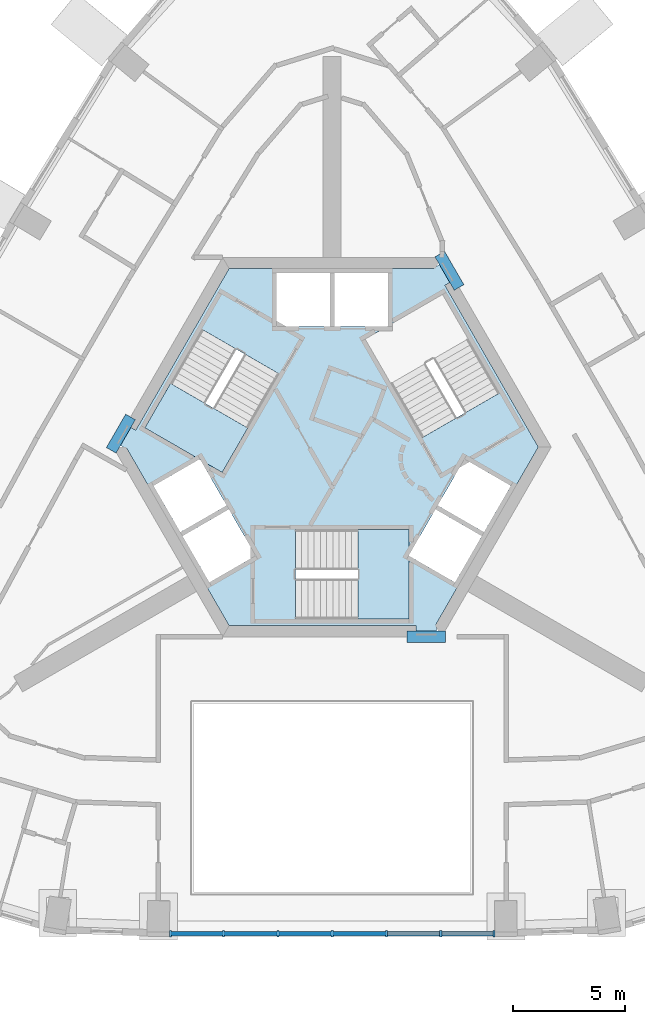
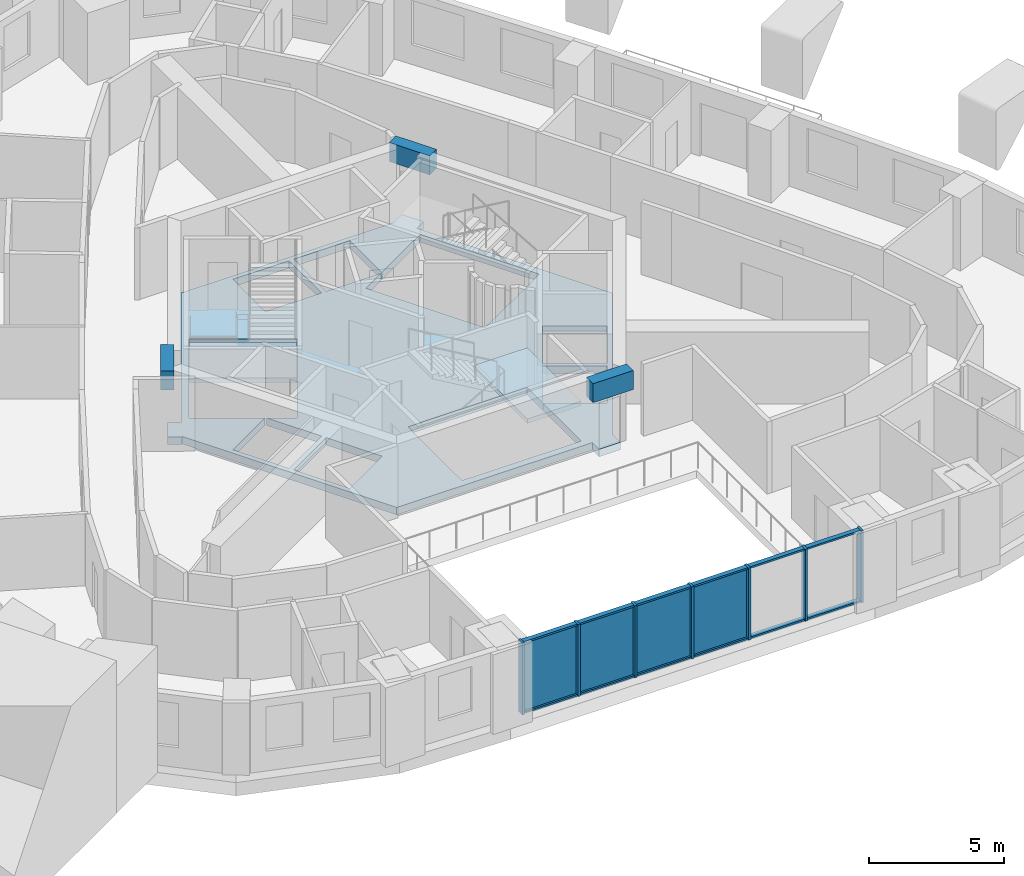
# One storey, part 2 of 11: 19 members, 4 plates, 3 beams, 3 slabs, 3 elements without a shape of their own.
"""IFC4 building model written with IfcOpenShell, lengths in metres."""

import ifcopenshell
import ifcopenshell.guid

model = None  # the IFC model being written
_history = None  # IfcOwnerHistory: only IFC2X3 demands one
_inside = {}  # id of a spatial element -> (the spatial element, [elements in it])
_under = {}  # id of a project, library or spatial element -> (it, [spatial elements below it])
_declared = {}  # id of a project -> (the project, [libraries it declares])
_typed = {}  # id of a type object -> (the type object, [elements of that type])
_made_of = {}  # id of a material, layer set ... -> (it, [elements and type objects made of it])


def new_model(schema):
    """Start an empty IFC model of exactly this schema.

    Asked for "IFC4X3", IfcOpenShell would pick the latest addendum, in which some entities
    have other attributes; the version numbers below select the first issue.
    IFC2X3 requires an IfcOwnerHistory on every rooted entity: one is made here for all.
    """
    global model, _history
    if schema == "IFC4X3":
        model = ifcopenshell.file(schema_version=(4, 3, 0, 0))
    else:
        model = ifcopenshell.file(schema=schema)
    _inside.clear()
    _under.clear()
    _declared.clear()
    _typed.clear()
    _made_of.clear()
    _history = None
    if model.schema == "IFC2X3":
        org = make("IfcOrganization", Name="unknown")
        user = make(
            "IfcPersonAndOrganization",
            ThePerson=make("IfcPerson", FamilyName="unknown"),
            TheOrganization=org,
        )
        app = make(
            "IfcApplication",
            ApplicationDeveloper=org,
            Version="unknown",
            ApplicationFullName="unknown",
            ApplicationIdentifier="unknown",
        )
        _history = make(
            "IfcOwnerHistory",
            OwningUser=user,
            OwningApplication=app,
            ChangeAction="ADDED",
            CreationDate=0,
        )
    return model


def make(cls, **values):
    """One entity of the class cls with the attributes given. An attribute that is None is left unset."""
    return model.create_entity(
        cls, **{name: value for name, value in values.items() if value is not None}
    )


def rooted(cls, **values):
    """An entity with a GlobalId (a new one), such as an element, a storey or a relation."""
    return make(cls, GlobalId=ifcopenshell.guid.new(), OwnerHistory=_history, **values)


def si_unit(unit_type, name, prefix=None):
    """IfcSIUnit, for example si_unit("LENGTHUNIT", "METRE", prefix="MILLI")."""
    return make("IfcSIUnit", UnitType=unit_type, Prefix=prefix, Name=name)


def assignment(units):
    """IfcUnitAssignment: the units of a project."""
    return None if units is None else make("IfcUnitAssignment", Units=units)


def point(xyz):
    """IfcCartesianPoint."""
    return None if xyz is None else make("IfcCartesianPoint", Coordinates=xyz)


def direction(xyz):
    """IfcDirection."""
    return None if xyz is None else make("IfcDirection", DirectionRatios=xyz)


def frame(location, z_axis=None, x_axis=None):
    """IfcAxis2Placement3D, a coordinate frame: its origin and axes. An axis left out is left unset."""
    return make(
        "IfcAxis2Placement3D",
        Location=point(location),
        Axis=direction(z_axis),
        RefDirection=direction(x_axis),
    )


def frame_2d(location, x_axis=None):
    """IfcAxis2Placement2D, a coordinate frame in the plane: its origin and x axis."""
    return make(
        "IfcAxis2Placement2D", Location=point(location), RefDirection=direction(x_axis)
    )


def origin():
    """The frame at (0, 0, 0) with its axes left unset."""
    return frame((0.0, 0.0, 0.0))


def origin_2d():
    """The frame at (0, 0) in the plane with its x axis left unset."""
    return frame_2d((0.0, 0.0))


def place(relative_to, where):
    """IfcLocalPlacement: puts the frame where relative to a parent placement (None: the world)."""
    return make(
        "IfcLocalPlacement", PlacementRelTo=relative_to, RelativePlacement=where
    )


def context(
    kind, dimensions, precision=None, world=None, true_north=None, identifier=None
):
    """IfcGeometricRepresentationContext, for example the 3D "Model" context."""
    return make(
        "IfcGeometricRepresentationContext",
        ContextIdentifier=identifier,
        ContextType=kind,
        CoordinateSpaceDimension=dimensions,
        Precision=precision,
        WorldCoordinateSystem=world,
        TrueNorth=true_north,
    )


def subcontext(parent, identifier, kind, view, scale=None):
    """IfcGeometricRepresentationSubContext, for example "Body" below "Model"."""
    return make(
        "IfcGeometricRepresentationSubContext",
        ContextIdentifier=identifier,
        ContextType=kind,
        ParentContext=parent,
        TargetScale=scale,
        TargetView=view,
    )


def project(units=None, contexts=None):
    """IfcProject with its units and contexts."""
    return rooted(
        "IfcProject",
        Name="project",
        RepresentationContexts=contexts,
        UnitsInContext=assignment(units),
    )


def spatial(cls, under=None, at=None, **own):
    """A site, building, storey or space (cls), placed at a placement, below another one or the project."""
    s = rooted(cls, ObjectPlacement=at, **own)
    if under is not None:
        _under.setdefault(under.id(), (under, []))[1].append(s)
    return s


def polyline(points):
    """IfcPolyline through the points."""
    return make("IfcPolyline", Points=[point(p) for p in points])


def profile(cls, at=None, kind="AREA", **sizes):
    """A parametric profile (cls). Its sizes go by their IFC names, for example OverallWidth=200.0."""
    return make(cls, ProfileType=kind, Position=at, **sizes)


def rectangle(**sizes):
    """IfcRectangleProfileDef."""
    return profile("IfcRectangleProfileDef", **sizes)


def outline(outer, holes=None, kind="AREA"):
    """IfcArbitraryClosedProfileDef: a profile drawn as a closed curve; with holes, ...WithVoids."""
    if holes is None:
        return make("IfcArbitraryClosedProfileDef", ProfileType=kind, OuterCurve=outer)
    return make(
        "IfcArbitraryProfileDefWithVoids",
        ProfileType=kind,
        OuterCurve=outer,
        InnerCurves=holes,
    )


def extrude(swept, where, along, depth):
    """IfcExtrudedAreaSolid: the profile swept, set in the frame where, extruded along a direction by depth."""
    return make(
        "IfcExtrudedAreaSolid",
        SweptArea=swept,
        Position=where,
        ExtrudedDirection=direction(along),
        Depth=depth,
    )


def shape(context_of_items, identifier, shape_type, items):
    """IfcShapeRepresentation: the items that make up one representation, for example the "Body"."""
    return make(
        "IfcShapeRepresentation",
        ContextOfItems=context_of_items,
        RepresentationIdentifier=identifier,
        RepresentationType=shape_type,
        Items=items,
    )


def material(Name=None, Category=None):
    """IfcMaterial."""
    return make("IfcMaterial", Name=Name, Category=Category)


def layer(
    of_material, thickness, ventilated=None, Name=None, Category=None, Priority=None
):
    """IfcMaterialLayer: one layer of a wall or slab, of a material (None: an air gap)."""
    return make(
        "IfcMaterialLayer",
        Material=of_material,
        LayerThickness=thickness,
        IsVentilated=ventilated,
        Name=Name,
        Category=Category,
        Priority=Priority,
    )


def layer_set(layers, Name=None):
    """IfcMaterialLayerSet."""
    return make("IfcMaterialLayerSet", MaterialLayers=layers, LayerSetName=Name)


def material_profile(
    of_material, cross_section, Name=None, Category=None, Priority=None
):
    """IfcMaterialProfile: a cross section and its material."""
    return make(
        "IfcMaterialProfile",
        Name=Name,
        Material=of_material,
        Profile=cross_section,
        Priority=Priority,
        Category=Category,
    )


def profile_set(profiles, Name=None, composite=None):
    """IfcMaterialProfileSet."""
    return make(
        "IfcMaterialProfileSet",
        Name=Name,
        MaterialProfiles=profiles,
        CompositeProfile=composite,
    )


def made_of(thing, what):
    """Note that an element or type object is made of a material, layer set ...; save() writes the relation."""
    if what is not None:
        _made_of.setdefault(what.id(), (what, []))[1].append(thing)
    return thing


def type_object(cls, material=None, **own):
    """A type object (cls), such as IfcWallType, which elements share."""
    return made_of(rooted(cls, **own), material)


def element(
    cls,
    number,
    at=None,
    inside=None,
    cuts=None,
    type_object=None,
    material=None,
    context=None,
    identifier="Body",
    shape_type=None,
    held_by="IfcProductDefinitionShape",
    body=None,
    shapes=None,
    **own,
):
    """One element of the class cls, such as IfcWall. Its Tag is "e" and its number.

    at: its placement. inside: the storey or other place that contains it. cuts: it is an
    opening in that element (IfcRelVoidsElement). A single representation is given by context,
    identifier, shape_type and body (its items); several are given by shapes. held_by: the class
    of the entity that holds the representations. save() writes the other relations.
    """
    e = rooted(cls, Tag="e%d" % number, ObjectPlacement=at, **own)
    if body is not None:
        shapes = [shape(context, identifier, shape_type, body)]
    if shapes is not None:
        e.Representation = make(held_by, Representations=shapes)
    if inside is not None:
        _inside.setdefault(inside.id(), (inside, []))[1].append(e)
    if cuts is not None:
        rooted(
            "IfcRelVoidsElement", RelatingBuildingElement=cuts, RelatedOpeningElement=e
        )
    if type_object is not None:
        _typed.setdefault(type_object.id(), (type_object, []))[1].append(e)
    return made_of(e, material)


def aggregate(whole, parts):
    """IfcRelAggregates: a whole, such as a stair, and the parts it consists of."""
    return rooted("IfcRelAggregates", RelatingObject=whole, RelatedObjects=parts)


def save(model, path):
    """Write the relations noted so far, then the file.

    IfcRelAggregates (storeys below a building ...), IfcRelContainedInSpatialStructure (elements
    in a storey), IfcRelDefinesByType, IfcRelAssociatesMaterial and IfcRelDeclares: one each for
    every whole, place, type object, material and project.
    """
    for whole, parts in _under.values():
        aggregate(whole, parts)
    for where, things in _inside.values():
        rooted(
            "IfcRelContainedInSpatialStructure",
            RelatedElements=things,
            RelatingStructure=where,
        )
    for kind, things in _typed.values():
        rooted("IfcRelDefinesByType", RelatedObjects=things, RelatingType=kind)
    for what, things in _made_of.values():
        rooted("IfcRelAssociatesMaterial", RelatedObjects=things, RelatingMaterial=what)
    for by, libraries in _declared.values():
        rooted("IfcRelDeclares", RelatingContext=by, RelatedDefinitions=libraries)
    model.write(path)


model = new_model("IFC4")

# Units and contexts
model_context = context("Model", 3, precision=1e-05, world=origin(), true_north=direction((0.0, 1.0)))
body_context = subcontext(model_context, "Body", "Model", "MODEL_VIEW")
ifc_project = project(units=[si_unit("LENGTHUNIT", "METRE"), si_unit("AREAUNIT", "SQUARE_METRE"), si_unit("VOLUMEUNIT", "CUBIC_METRE"), si_unit("PLANEANGLEUNIT", "RADIAN"), si_unit("MASSUNIT", "GRAM", prefix="KILO")], contexts=[model_context])

# Site, building, storey
site_placement = place(None, origin())
site = spatial("IfcSite", under=ifc_project, at=site_placement, CompositionType="ELEMENT")
building_placement = place(site_placement, origin())
building = spatial("IfcBuilding", under=site, at=building_placement, Name="Entoto Arch Interchange Tower", CompositionType="ELEMENT")
storey_placement = place(building_placement, frame((0.0, 0.0, 318.800048828125)))
storey = spatial("IfcBuildingStorey", under=building, at=storey_placement, Name="L75", CompositionType="ELEMENT", Elevation=318.800048828125)

# Beams
ifc_material_1 = material(Name="Concrete C40/50", Category="concrete")
ifc_material_profile_1 = material_profile(ifc_material_1, rectangle(XDim=0.5, YDim=0.860107421875, at=origin_2d()))
ifc_profile_set_1 = profile_set([ifc_material_profile_1], Name="Concrete C40/50")
beam_type = type_object("IfcBeamType", Name="Coupling beam RC 500x860 C40/50", PredefinedType="BEAM", material=ifc_profile_set_1)
for number, where, z_axis, x_axis, name in (
    (1, (5.68603515625, 9.65087890625, 2.829833984375), (-0.500105721196, 0.865964357019, 0.0), (-0.865964357019, -0.500105721196, 0.0), "Coupling beam NE L75"),
    (2, (-9.035888671875, 3.84912109375, 2.829833984375), (-0.500105721196, -0.865964357019, 0.0), (0.865964357019, -0.500105721196, 0.0), "Coupling beam NW L75"),
):
    element("IfcBeam", number, at=place(storey_placement, frame(where, z_axis=z_axis, x_axis=x_axis)), inside=storey, type_object=beam_type, Name=name, PredefinedType="BEAM", context=body_context, shape_type="SweptSolid", body=[
        extrude(rectangle(XDim=0.5, YDim=0.860107421875, at=origin_2d()), origin(), (0.0, 0.0, 1.0), 1.727783203125),
    ])
beam_placement = place(storey_placement, frame((3.35009765625, -6.0, 2.829833984375), z_axis=(1.0, 0.0, 0.0), x_axis=(0.0, 1.0, 0.0)))
element("IfcBeam", 3, at=beam_placement, inside=storey, type_object=beam_type, Name="Coupling beam S L75", PredefinedType="BEAM", context=body_context, shape_type="SweptSolid", body=[
    extrude(rectangle(XDim=0.5, YDim=0.860107421875, at=origin_2d()), origin(), (0.0, 0.0, 1.0), 1.725830078125),
])

# Curtain wall, members
ifc_material_2 = material(Name="Aluminium, anodised", Category="aluminium")
curtain_wall_type = type_object("IfcCurtainWallType", Name="CURTAIN WALL ATRIUM", PredefinedType="NOTDEFINED", material=ifc_material_2)
curtain_wall_placement = place(storey_placement, origin())
curtain_wall = element("IfcCurtainWall", 4, at=curtain_wall_placement, inside=storey, type_object=curtain_wall_type, Name="Atrium glazing S-02 L75", PredefinedType="NOTDEFINED")
ifc_material_profile_2 = material_profile(ifc_material_2, rectangle(XDim=0.300048828125, YDim=0.10009765625, at=origin_2d()))
ifc_profile_set_2 = profile_set([ifc_material_profile_2], Name="Aluminium, anodised")
member_type_1 = type_object("IfcMemberType", Name="MULLION ATRIUM 100x300", PredefinedType="MULLION", material=ifc_profile_set_2)
member_1_placement = place(storey_placement, frame((-7.248046875, -19.302978515625, 0.0), z_axis=(0.0, 0.0, 1.0), x_axis=(0.0, 1.0, 0.0)))
member_1 = element("IfcMember", 5, at=member_1_placement, type_object=member_type_1, Name="CWA mullion 1", PredefinedType="MULLION", context=body_context, shape_type="SweptSolid", body=[
    extrude(rectangle(XDim=0.300048828125, YDim=0.10009765625, at=origin_2d()), origin(), (0.0, 0.0, 1.0), 3.260009765625),
])
member_2_placement = place(storey_placement, frame((-4.865234375, -19.302978515625, 0.0), z_axis=(0.0, 0.0, 1.0), x_axis=(0.0, 1.0, 0.0)))
member_2 = element("IfcMember", 6, at=member_2_placement, type_object=member_type_1, Name="CWA mullion 2", PredefinedType="MULLION", context=body_context, shape_type="SweptSolid", body=[
    extrude(rectangle(XDim=0.300048828125, YDim=0.10009765625, at=origin_2d()), origin(), (0.0, 0.0, 1.0), 3.260009765625),
])
member_3_placement = place(storey_placement, frame((-2.4326171875, -19.302978515625, 0.0), z_axis=(0.0, 0.0, 1.0), x_axis=(0.0, 1.0, 0.0)))
member_3 = element("IfcMember", 7, at=member_3_placement, type_object=member_type_1, Name="CWA mullion 3", PredefinedType="MULLION", context=body_context, shape_type="SweptSolid", body=[
    extrude(rectangle(XDim=0.300048828125, YDim=0.10009765625, at=origin_2d()), origin(), (0.0, 0.0, 1.0), 3.260009765625),
])
member_4_placement = place(storey_placement, frame((0.0, -19.302978515625, 0.0), z_axis=(0.0, 0.0, 1.0), x_axis=(0.0, 1.0, 0.0)))
member_4 = element("IfcMember", 8, at=member_4_placement, type_object=member_type_1, Name="CWA mullion 4", PredefinedType="MULLION", context=body_context, shape_type="SweptSolid", body=[
    extrude(rectangle(XDim=0.300048828125, YDim=0.10009765625, at=origin_2d()), origin(), (0.0, 0.0, 1.0), 3.260009765625),
])
member_5_placement = place(storey_placement, frame((2.4326171875, -19.302978515625, 0.0), z_axis=(0.0, 0.0, 1.0), x_axis=(0.0, 1.0, 0.0)))
member_5 = element("IfcMember", 9, at=member_5_placement, type_object=member_type_1, Name="CWA mullion 5", PredefinedType="MULLION", context=body_context, shape_type="SweptSolid", body=[
    extrude(rectangle(XDim=0.300048828125, YDim=0.10009765625, at=origin_2d()), origin(), (0.0, 0.0, 1.0), 3.260009765625),
])
member_6_placement = place(storey_placement, frame((4.865234375, -19.302978515625, 0.0), z_axis=(0.0, 0.0, 1.0), x_axis=(0.0, 1.0, 0.0)))
member_6 = element("IfcMember", 10, at=member_6_placement, type_object=member_type_1, Name="CWA mullion 6", PredefinedType="MULLION", context=body_context, shape_type="SweptSolid", body=[
    extrude(rectangle(XDim=0.300048828125, YDim=0.10009765625, at=origin_2d()), origin(), (0.0, 0.0, 1.0), 3.260009765625),
])
member_7_placement = place(storey_placement, frame((7.248046875, -19.302978515625, 0.0), z_axis=(0.0, 0.0, 1.0), x_axis=(0.0, 1.0, 0.0)))
member_7 = element("IfcMember", 11, at=member_7_placement, type_object=member_type_1, Name="CWA mullion 7", PredefinedType="MULLION", context=body_context, shape_type="SweptSolid", body=[
    extrude(rectangle(XDim=0.300048828125, YDim=0.10009765625, at=origin_2d()), origin(), (0.0, 0.0, 1.0), 3.260009765625),
])
ifc_material_profile_3 = material_profile(ifc_material_2, rectangle(XDim=0.199951171875, YDim=0.080078125, at=origin_2d()))
ifc_profile_set_3 = profile_set([ifc_material_profile_3], Name="Aluminium, anodised")
member_type_2 = type_object("IfcMemberType", Name="TRANSOM ATRIUM 80x200", PredefinedType="USERDEFINED", material=ifc_profile_set_3)
member_8_placement = place(storey_placement, frame((-7.197998046875, -19.302978515625, 0.0400390625), z_axis=(1.0, 0.0, 0.0), x_axis=(0.0, 1.0, 0.0)))
member_8 = element("IfcMember", 12, at=member_8_placement, type_object=member_type_2, Name="CWA transom 1.1", ObjectType="TRANSOM", PredefinedType="USERDEFINED", context=body_context, shape_type="SweptSolid", body=[
    extrude(rectangle(XDim=0.199951171875, YDim=0.080078125, at=origin_2d()), origin(), (0.0, 0.0, 1.0), 2.28271484375),
])
member_9_placement = place(storey_placement, frame((-7.197998046875, -19.302978515625, 3.219970703125), z_axis=(1.0, 0.0, 0.0), x_axis=(0.0, 1.0, 0.0)))
member_9 = element("IfcMember", 13, at=member_9_placement, type_object=member_type_2, Name="CWA transom 1.2", ObjectType="TRANSOM", PredefinedType="USERDEFINED", context=body_context, shape_type="SweptSolid", body=[
    extrude(rectangle(XDim=0.199951171875, YDim=0.080078125, at=origin_2d()), origin(), (0.0, 0.0, 1.0), 2.28271484375),
])
member_10_placement = place(storey_placement, frame((-4.8154296875, -19.302978515625, 0.0400390625), z_axis=(1.0, 0.0, 0.0), x_axis=(0.0, 1.0, 0.0)))
member_10 = element("IfcMember", 14, at=member_10_placement, type_object=member_type_2, Name="CWA transom 2.1", ObjectType="TRANSOM", PredefinedType="USERDEFINED", context=body_context, shape_type="SweptSolid", body=[
    extrude(rectangle(XDim=0.199951171875, YDim=0.080078125, at=origin_2d()), origin(), (0.0, 0.0, 1.0), 2.332763671875),
])
member_11_placement = place(storey_placement, frame((-4.8154296875, -19.302978515625, 3.219970703125), z_axis=(1.0, 0.0, 0.0), x_axis=(0.0, 1.0, 0.0)))
member_11 = element("IfcMember", 15, at=member_11_placement, type_object=member_type_2, Name="CWA transom 2.2", ObjectType="TRANSOM", PredefinedType="USERDEFINED", context=body_context, shape_type="SweptSolid", body=[
    extrude(rectangle(XDim=0.199951171875, YDim=0.080078125, at=origin_2d()), origin(), (0.0, 0.0, 1.0), 2.332763671875),
])
member_12_placement = place(storey_placement, frame((-2.382568359375, -19.302978515625, 0.0400390625), z_axis=(1.0, 0.0, 0.0), x_axis=(0.0, 1.0, 0.0)))
member_12 = element("IfcMember", 16, at=member_12_placement, type_object=member_type_2, Name="CWA transom 3.1", ObjectType="TRANSOM", PredefinedType="USERDEFINED", context=body_context, shape_type="SweptSolid", body=[
    extrude(rectangle(XDim=0.199951171875, YDim=0.080078125, at=origin_2d()), origin(), (0.0, 0.0, 1.0), 2.33251953125),
])
member_13_placement = place(storey_placement, frame((-2.382568359375, -19.302978515625, 3.219970703125), z_axis=(1.0, 0.0, 0.0), x_axis=(0.0, 1.0, 0.0)))
member_13 = element("IfcMember", 17, at=member_13_placement, type_object=member_type_2, Name="CWA transom 3.2", ObjectType="TRANSOM", PredefinedType="USERDEFINED", context=body_context, shape_type="SweptSolid", body=[
    extrude(rectangle(XDim=0.199951171875, YDim=0.080078125, at=origin_2d()), origin(), (0.0, 0.0, 1.0), 2.33251953125),
])
member_14_placement = place(storey_placement, frame((0.050048828125, -19.302978515625, 0.0400390625), z_axis=(1.0, 0.0, 0.0), x_axis=(0.0, 1.0, 0.0)))
member_14 = element("IfcMember", 18, at=member_14_placement, type_object=member_type_2, Name="CWA transom 4.1", ObjectType="TRANSOM", PredefinedType="USERDEFINED", context=body_context, shape_type="SweptSolid", body=[
    extrude(rectangle(XDim=0.199951171875, YDim=0.080078125, at=origin_2d()), origin(), (0.0, 0.0, 1.0), 2.33251953125),
])
member_15_placement = place(storey_placement, frame((0.050048828125, -19.302978515625, 3.219970703125), z_axis=(1.0, 0.0, 0.0), x_axis=(0.0, 1.0, 0.0)))
member_15 = element("IfcMember", 19, at=member_15_placement, type_object=member_type_2, Name="CWA transom 4.2", ObjectType="TRANSOM", PredefinedType="USERDEFINED", context=body_context, shape_type="SweptSolid", body=[
    extrude(rectangle(XDim=0.199951171875, YDim=0.080078125, at=origin_2d()), origin(), (0.0, 0.0, 1.0), 2.33251953125),
])
member_16_placement = place(storey_placement, frame((2.482666015625, -19.302978515625, 0.0400390625), z_axis=(1.0, 0.0, 0.0), x_axis=(0.0, 1.0, 0.0)))
member_16 = element("IfcMember", 20, at=member_16_placement, type_object=member_type_2, Name="CWA transom 5.1", ObjectType="TRANSOM", PredefinedType="USERDEFINED", context=body_context, shape_type="SweptSolid", body=[
    extrude(rectangle(XDim=0.199951171875, YDim=0.080078125, at=origin_2d()), origin(), (0.0, 0.0, 1.0), 2.332763671875),
])
member_17_placement = place(storey_placement, frame((2.482666015625, -19.302978515625, 3.219970703125), z_axis=(1.0, 0.0, 0.0), x_axis=(0.0, 1.0, 0.0)))
member_17 = element("IfcMember", 21, at=member_17_placement, type_object=member_type_2, Name="CWA transom 5.2", ObjectType="TRANSOM", PredefinedType="USERDEFINED", context=body_context, shape_type="SweptSolid", body=[
    extrude(rectangle(XDim=0.199951171875, YDim=0.080078125, at=origin_2d()), origin(), (0.0, 0.0, 1.0), 2.332763671875),
])
member_18_placement = place(storey_placement, frame((4.915283203125, -19.302978515625, 0.0400390625), z_axis=(1.0, 0.0, 0.0), x_axis=(0.0, 1.0, 0.0)))
member_18 = element("IfcMember", 22, at=member_18_placement, type_object=member_type_2, Name="CWA transom 6.1", ObjectType="TRANSOM", PredefinedType="USERDEFINED", context=body_context, shape_type="SweptSolid", body=[
    extrude(rectangle(XDim=0.199951171875, YDim=0.080078125, at=origin_2d()), origin(), (0.0, 0.0, 1.0), 2.28271484375),
])
member_19_placement = place(storey_placement, frame((4.915283203125, -19.302978515625, 3.219970703125), z_axis=(1.0, 0.0, 0.0), x_axis=(0.0, 1.0, 0.0)))
member_19 = element("IfcMember", 23, at=member_19_placement, type_object=member_type_2, Name="CWA transom 6.2", ObjectType="TRANSOM", PredefinedType="USERDEFINED", context=body_context, shape_type="SweptSolid", body=[
    extrude(rectangle(XDim=0.199951171875, YDim=0.080078125, at=origin_2d()), origin(), (0.0, 0.0, 1.0), 2.28271484375),
])

# Slab
ifc_layer_1 = layer(ifc_material_1, 0.340087890625)
ifc_layer_set_1 = layer_set([ifc_layer_1], Name="Concrete C40/50")
slab_type_1 = type_object("IfcSlabType", Name="Core floor slab 340 C40/50", PredefinedType="FLOOR", material=ifc_layer_set_1)
slab_1_placement = place(storey_placement, frame((0.0, 0.0, -0.340087890625)))
element("IfcSlab", 24, at=slab_1_placement, inside=storey, type_object=slab_type_1, Name="Core floor slab L75", PredefinedType="FLOOR", context=body_context, shape_type="SweptSolid", body=[
    extrude(outline(polyline([(-9.208984375, 2.449951171875), (-9.222900390625, 2.425048828125), (-9.699951171875, 2.699951171875), (-9.236083984375, 3.501953125), (-8.802978515625, 3.2529296875), (-4.618896484375, 10.5), (4.56103515625, 10.5), (4.5458984375, 10.52490234375), (5.02197265625, 10.800048828125), (5.486083984375, 9.998046875), (5.052978515625, 9.748046875), (9.238037109375, 2.5), (4.64794921875, -5.449951171875), (4.676025390625, -5.449951171875), (4.676025390625, -6.0), (3.75, -6.0), (3.75, -5.5), (-4.618896484375, -5.5), (-9.208984375, 2.449951171875)]), holes=[polyline([(-1.64990234375, -5.199951171875), (3.449951171875, -5.199951171875), (3.449951171875, -2.3779296875), (5.5048828125, -3.56494140625), (6.705078125, -1.487060546875), (4.626953125, -0.287109375), (3.449951171875, -2.324951171875), (3.449951171875, -1.199951171875), (-1.64990234375, -1.199951171875), (-1.64990234375, -5.199951171875)]), polyline([(-4.626953125, -0.287109375), (-6.705078125, -1.487060546875), (-5.5048828125, -3.56494140625), (-3.427001953125, -2.364990234375), (-4.626953125, -0.287109375)]), polyline([(-5.904052734375, 1.925048828125), (-4.928955078125, 1.362060546875), (-2.37890625, 5.779052734375), (-5.843017578125, 7.779052734375), (-8.39306640625, 3.362060546875), (-5.949951171875, 1.951904296875), (-8.0048828125, 0.764892578125), (-6.804931640625, -1.31298828125), (-4.72705078125, -0.113037109375), (-5.904052734375, 1.925048828125)]), polyline([(4.72705078125, -0.113037109375), (6.804931640625, -1.31298828125), (8.0048828125, 0.764892578125), (5.927001953125, 1.965087890625), (4.72705078125, -0.113037109375)]), polyline([(2.5, 7.927001953125), (2.5, 10.300048828125), (0.10009765625, 10.300048828125), (0.10009765625, 7.89990234375), (2.452880859375, 7.89990234375), (1.47900390625, 7.337890625), (4.029052734375, 2.9208984375), (7.492919921875, 4.9208984375), (4.943115234375, 9.337890625), (2.5, 7.927001953125)]), polyline([(-2.5, 7.89990234375), (-0.10009765625, 7.89990234375), (-0.10009765625, 10.300048828125), (-2.5, 10.300048828125), (-2.5, 7.89990234375)])]), origin(), (0.0, 0.0, 1.0), 0.340087890625),
])

# Stair, slab
stair_type = type_object("IfcStairType", Name="EXIT STAIR RC 1800", PredefinedType="HALF_TURN_STAIR", material=ifc_material_1)
stair_1_placement = place(storey_placement, origin())
stair_1 = element("IfcStair", 25, at=stair_1_placement, inside=storey, type_object=stair_type, Name="L75 Exit stair S", PredefinedType="HALF_TURN_STAIR")
ifc_layer_2 = layer(ifc_material_1, 0.199951171875)
ifc_layer_set_2 = layer_set([ifc_layer_2], Name="Concrete C40/50")
slab_type_2 = type_object("IfcSlabType", Name="EXIT STAIR LANDING RC 200", PredefinedType="LANDING", material=ifc_layer_set_2)
slab_2_placement = place(storey_placement, frame((0.0, 0.0, 1.599853515625)))
slab_2 = element("IfcSlab", 26, at=slab_2_placement, type_object=slab_type_2, Name="ST-S landing 1", PredefinedType="LANDING", context=body_context, shape_type="SweptSolid", body=[
    extrude(outline(polyline([(1.14990234375, -5.199951171875), (3.449951171875, -5.199951171875), (3.449951171875, -1.199951171875), (1.14990234375, -1.199951171875), (1.14990234375, -5.199951171875)])), origin(), (0.0, 0.0, 1.0), 0.2001953125),
])
aggregate(stair_1, [slab_2])

stair_2_placement = place(storey_placement, origin())
stair_2 = element("IfcStair", 27, at=stair_2_placement, inside=storey, type_object=stair_type, Name="L75 Exit stair NW", PredefinedType="HALF_TURN_STAIR")
slab_3_placement = place(storey_placement, frame((0.0, 0.0, 1.599853515625)))
slab_3 = element("IfcSlab", 28, at=slab_3_placement, type_object=slab_type_2, Name="ST-NW landing 1", PredefinedType="LANDING", context=body_context, shape_type="SweptSolid", body=[
    extrude(outline(polyline([(-7.243408203125, 5.35400390625), (-8.393310546875, 3.3623046875), (-4.92919921875, 1.3623046875), (-3.779296875, 3.35400390625), (-7.243408203125, 5.35400390625)])), origin(), (0.0, 0.0, 1.0), 0.2001953125),
])
aggregate(stair_2, [slab_3])

# Plate
ifc_material_3 = material(Name="Clear glass, low-e double glazed", Category="glass")
ifc_layer_3 = layer(ifc_material_3, 0.031982421875)
ifc_layer_set_3 = layer_set([ifc_layer_3], Name="Clear glass, low-e double glazed")
plate_type = type_object("IfcPlateType", Name="GLAZING PANEL ATRIUM 32", PredefinedType="CURTAIN_PANEL", material=ifc_layer_set_3)
plate_1_placement = place(storey_placement, frame((-6.056640625, -19.302978515625, 0.079833984375), z_axis=(0.0, 0.0, 1.0), x_axis=(1.0, 0.0, 0.0)))
plate_1 = element("IfcPlate", 29, at=plate_1_placement, type_object=plate_type, Name="CWA panel 1.1", PredefinedType="CURTAIN_PANEL", context=body_context, shape_type="SweptSolid", body=[
    extrude(rectangle(XDim=2.28271484375, YDim=0.031982421875, at=origin_2d()), origin(), (0.0, 0.0, 1.0), 3.10009765625),
])

plate_2_placement = place(storey_placement, frame((-3.64892578125, -19.302978515625, 0.079833984375), z_axis=(0.0, 0.0, 1.0), x_axis=(1.0, 0.0, 0.0)))
plate_2 = element("IfcPlate", 30, at=plate_2_placement, type_object=plate_type, Name="CWA panel 2.1", PredefinedType="CURTAIN_PANEL", context=body_context, shape_type="SweptSolid", body=[
    extrude(rectangle(XDim=2.332763671875, YDim=0.031982421875, at=origin_2d()), origin(), (0.0, 0.0, 1.0), 3.10009765625),
])

plate_3_placement = place(storey_placement, frame((-1.21630859375, -19.302978515625, 0.079833984375), z_axis=(0.0, 0.0, 1.0), x_axis=(1.0, 0.0, 0.0)))
plate_3 = element("IfcPlate", 31, at=plate_3_placement, type_object=plate_type, Name="CWA panel 3.1", PredefinedType="CURTAIN_PANEL", context=body_context, shape_type="SweptSolid", body=[
    extrude(rectangle(XDim=2.332763671875, YDim=0.031982421875, at=origin_2d()), origin(), (0.0, 0.0, 1.0), 3.10009765625),
])

plate_4_placement = place(storey_placement, frame((1.21630859375, -19.302978515625, 0.079833984375), z_axis=(0.0, 0.0, 1.0), x_axis=(1.0, 0.0, 0.0)))
plate_4 = element("IfcPlate", 32, at=plate_4_placement, type_object=plate_type, Name="CWA panel 4.1", PredefinedType="CURTAIN_PANEL", context=body_context, shape_type="SweptSolid", body=[
    extrude(rectangle(XDim=2.332763671875, YDim=0.031982421875, at=origin_2d()), origin(), (0.0, 0.0, 1.0), 3.10009765625),
])

aggregate(curtain_wall, [member_1, member_2, member_3, member_4, member_5, member_6, member_7, member_8, member_9, plate_1, member_10, member_11, plate_2, member_12, member_13, plate_3, member_14, member_15, plate_4, member_16, member_17, member_18, member_19])

save(model, "model.ifc")
